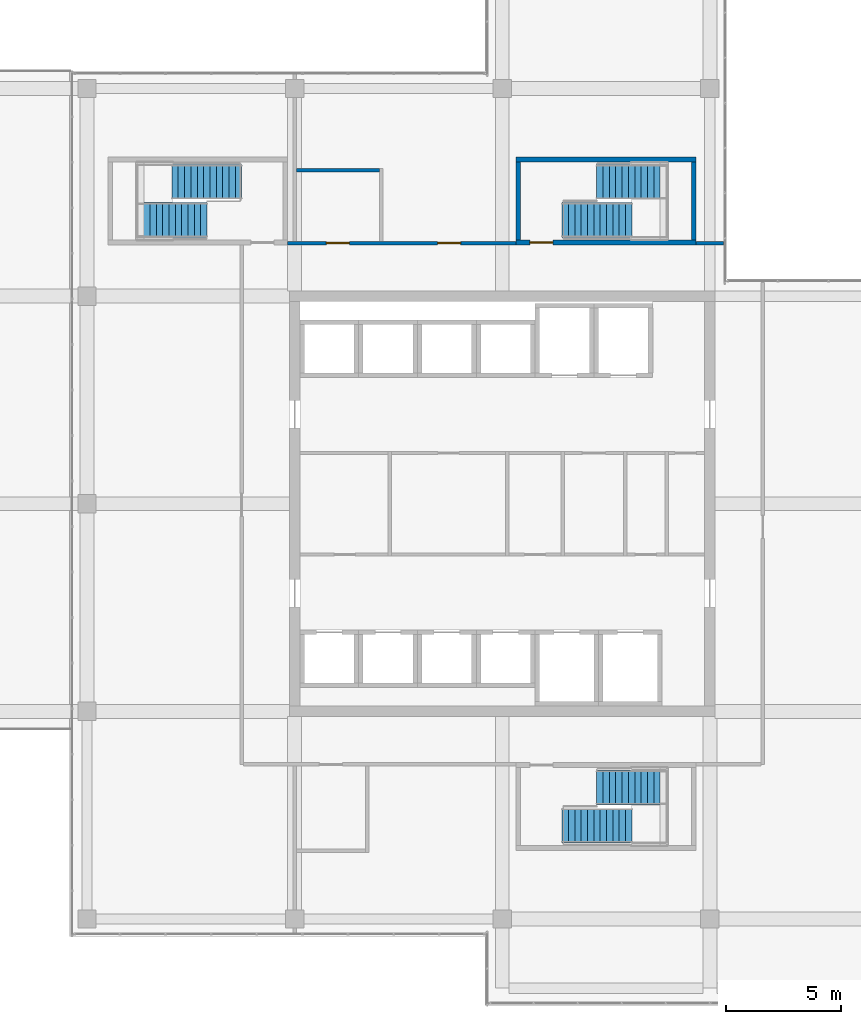
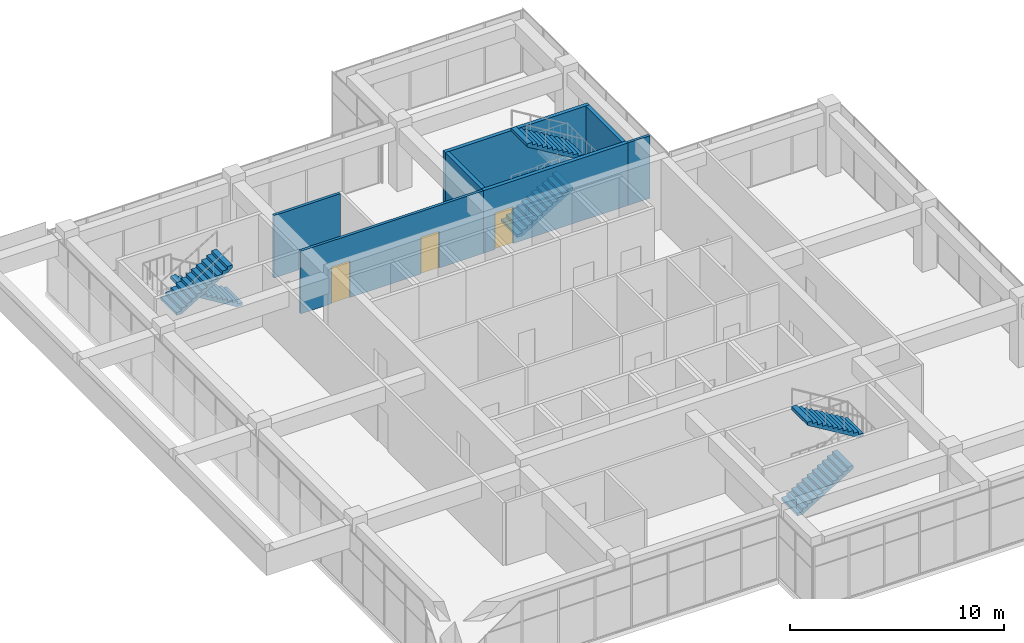
# One storey, part 49 of 52: 7 walls, 6 stair flights, 3 doors, 3 openings, 3 elements without a shape of their own.
"""IFC4 building model written with IfcOpenShell, lengths in metres."""

from ifc_helpers import new_model, si_unit, direction, frame, frame_2d, origin, place, context, subcontext, project, spatial, polyline, rectangle, outline, extrude, material, layer, layer_set, type_object, element, fill, aggregate, save


model = new_model("IFC4")

# Units and contexts
model_context = context("Model", 3, precision=1e-05, world=origin(), true_north=direction((0.0, 1.0)))
body_context = subcontext(model_context, "Body", "Model", "MODEL_VIEW")
ifc_project = project(units=[si_unit("LENGTHUNIT", "METRE"), si_unit("AREAUNIT", "SQUARE_METRE"), si_unit("VOLUMEUNIT", "CUBIC_METRE"), si_unit("PLANEANGLEUNIT", "RADIAN"), si_unit("MASSUNIT", "GRAM", prefix="KILO")], contexts=[model_context])

# Site, building, storey
site_placement = place(None, origin())
site = spatial("IfcSite", under=ifc_project, at=site_placement, CompositionType="ELEMENT")
building_placement = place(site_placement, origin())
building = spatial("IfcBuilding", under=site, at=building_placement, Name="Tuart Plaza Theatre", CompositionType="ELEMENT")
storey_placement = place(building_placement, frame((0.0, 0.0, 25.5)))
storey = spatial("IfcBuildingStorey", under=building, at=storey_placement, Name="L06", CompositionType="ELEMENT", Elevation=25.5)

# Wall, openings, doors
ifc_material_1 = material(Name="Masonry block", Category="masonry")
ifc_layer_1 = layer(ifc_material_1, 0.14990234375)
ifc_layer_set_1 = layer_set([ifc_layer_1], Name="PARTITION BLK150 MASONRYB FRL 120/-/-")
wall_type_1 = type_object("IfcWallType", Name="PARTITION BLK150 MASONRYB FRL 120/-/-", PredefinedType="PARTITIONING", material=ifc_layer_set_1)
wall_1_placement = place(storey_placement, frame((122.699951171875, 85.300048828125, 0.0), z_axis=(0.0, 0.0, 1.0), x_axis=(1.0, 0.0, 0.0)))
wall_1 = element("IfcWall", 1, at=wall_1_placement, inside=storey, type_object=wall_type_1, Name="P628", PredefinedType="PARTITIONING", context=body_context, shape_type="SweptSolid", body=[
    extrude(rectangle(XDim=9.900146484375, YDim=0.14990234375, at=frame_2d((4.9501953125, 0.0))), origin(), (0.0, 0.0, 1.0), 3.580078125),
])
opening_1_placement = place(wall_1_placement, frame((1.675048828125, 0.0, 0.0)))
opening_1 = element("IfcOpeningElement", 2, at=opening_1_placement, cuts=wall_1, Name="Opening L06-025", PredefinedType="OPENING", context=body_context, shape_type="SweptSolid", body=[
    extrude(rectangle(XDim=1.0, YDim=2.10009765625, at=frame_2d((0.5, 1.050048828125))), frame((0.0, 0.0849609375, 0.0), z_axis=(0.0, -1.0, 0.0), x_axis=(1.0, 0.0, 0.0)), (0.0, 0.0, 1.0), 0.169921875),
])
opening_2_placement = place(wall_1_placement, frame((6.49755859375, 0.0, 0.0)))
opening_2 = element("IfcOpeningElement", 3, at=opening_2_placement, cuts=wall_1, Name="Opening L06-028", PredefinedType="OPENING", context=body_context, shape_type="SweptSolid", body=[
    extrude(rectangle(XDim=1.0, YDim=2.10009765625, at=frame_2d((0.5, 1.050048828125))), frame((0.0, 0.0849609375, 0.0), z_axis=(0.0, -1.0, 0.0), x_axis=(1.0, 0.0, 0.0)), (0.0, 0.0, 1.0), 0.169921875),
])
ifc_material_2 = material(Name="Timber", Category="wood")
door_type_1 = type_object("IfcDoorType", Name="DOOR 1000x2100 timber single swing FRL -/60/30", OperationType="SINGLE_SWING_LEFT", PredefinedType="DOOR", material=ifc_material_2)
door_1_placement = place(opening_1_placement, origin())
door_1 = element("IfcDoor", 4, at=door_1_placement, inside=storey, type_object=door_type_1, Name="L06-025", OperationType="SINGLE_SWING_LEFT", OverallHeight=2.10009765625, OverallWidth=1.0, PredefinedType="DOOR", context=body_context, shape_type="SweptSolid", body=[
    extrude(rectangle(XDim=1.0, YDim=2.10009765625, at=frame_2d((0.5, 1.050048828125))), frame((0.0, 0.02490234375, 0.0), z_axis=(0.0, -1.0, 0.0), x_axis=(1.0, 0.0, 0.0)), (0.0, 0.0, 1.0), 0.050048828125),
])
fill(opening_1, door_1)
door_2_placement = place(opening_2_placement, origin())
door_2 = element("IfcDoor", 5, at=door_2_placement, inside=storey, type_object=door_type_1, Name="L06-028", OperationType="SINGLE_SWING_LEFT", OverallHeight=2.10009765625, OverallWidth=1.0, PredefinedType="DOOR", context=body_context, shape_type="SweptSolid", body=[
    extrude(rectangle(XDim=1.0, YDim=2.10009765625, at=frame_2d((0.5, 1.050048828125))), frame((0.0, 0.02490234375, 0.0), z_axis=(0.0, -1.0, 0.0), x_axis=(1.0, 0.0, 0.0)), (0.0, 0.0, 1.0), 0.050048828125),
])
fill(opening_2, door_2)

# Walls
wall_2_placement = place(storey_placement, frame((140.39990234375, 85.300048828125, 0.0), z_axis=(0.0, 0.0, 1.0), x_axis=(1.0, 0.0, 0.0)))
element("IfcWall", 6, at=wall_2_placement, inside=storey, type_object=wall_type_1, Name="P629", PredefinedType="PARTITIONING", context=body_context, shape_type="SweptSolid", body=[
    extrude(rectangle(XDim=1.2001953125, YDim=0.14990234375, at=frame_2d((0.60009765625, 0.0))), origin(), (0.0, 0.0, 1.0), 3.580078125),
])
wall_3_placement = place(storey_placement, frame((123.074951171875, 88.449951171875, 0.0), z_axis=(0.0, 0.0, 1.0), x_axis=(1.0, 0.0, 0.0)))
element("IfcWall", 7, at=wall_3_placement, inside=storey, type_object=wall_type_1, Name="P634", PredefinedType="PARTITIONING", context=body_context, shape_type="SweptSolid", body=[
    extrude(rectangle(XDim=3.60009765625, YDim=0.14990234375, at=frame_2d((1.800048828125, 0.0))), origin(), (0.0, 0.0, 1.0), 3.580078125),
])

# Wall, opening, door
ifc_material_3 = material(Name="Concrete N40 (40 MPa)", Category="concrete")
ifc_layer_2 = layer(ifc_material_3, 0.199951171875)
ifc_layer_set_2 = layer_set([ifc_layer_2], Name="SHEAR WALL RC200 FRL 120/120/120")
wall_type_2 = type_object("IfcWallType", Name="SHEAR WALL RC200 FRL 120/120/120", PredefinedType="SHEAR", material=ifc_layer_set_2)
wall_4_placement = place(storey_placement, frame((132.60009765625, 85.324951171875, 0.0), z_axis=(0.0, 0.0, 1.0), x_axis=(1.0, 0.0, 0.0)))
wall_4 = element("IfcWall", 8, at=wall_4_placement, inside=storey, type_object=wall_type_2, Name="P428", PredefinedType="SHEAR", context=body_context, shape_type="SweptSolid", body=[
    extrude(rectangle(XDim=7.7998046875, YDim=0.199951171875, at=frame_2d((3.89990234375, 0.0))), origin(), (0.0, 0.0, 1.0), 3.580078125),
])
opening_3_placement = place(wall_4_placement, frame((0.60009765625, 0.0, 0.0)))
opening_3 = element("IfcOpeningElement", 9, at=opening_3_placement, cuts=wall_4, Name="Opening L06-012", PredefinedType="OPENING", context=body_context, shape_type="SweptSolid", body=[
    extrude(rectangle(XDim=1.0, YDim=2.10009765625, at=frame_2d((0.5, 1.050048828125))), frame((0.0, 0.10986328125, 0.0), z_axis=(0.0, -1.0, 0.0), x_axis=(1.0, 0.0, 0.0)), (0.0, 0.0, 1.0), 0.219970703125),
])
ifc_material_4 = material(Name="Steel Grade 300", Category="steel")
door_type_2 = type_object("IfcDoorType", Name="DOOR 1000x2100 steel single swing FRL -/120/30", OperationType="SINGLE_SWING_LEFT", PredefinedType="DOOR", material=ifc_material_4)
door_3_placement = place(opening_3_placement, origin())
door_3 = element("IfcDoor", 10, at=door_3_placement, inside=storey, type_object=door_type_2, Name="L06-012", OperationType="SINGLE_SWING_RIGHT", OverallHeight=2.10009765625, OverallWidth=1.0, PredefinedType="DOOR", context=body_context, shape_type="SweptSolid", body=[
    extrude(rectangle(XDim=1.0, YDim=2.10009765625, at=frame_2d((0.5, 1.050048828125))), frame((0.0, 0.02490234375, 0.0), z_axis=(0.0, -1.0, 0.0), x_axis=(1.0, 0.0, 0.0)), (0.0, 0.0, 1.0), 0.050048828125),
])
fill(opening_3, door_3)

# Walls
wall_5_placement = place(storey_placement, frame((140.300048828125, 85.425048828125, 0.0), z_axis=(0.0, 0.0, 1.0), x_axis=(0.0, 1.0, 0.0)))
element("IfcWall", 11, at=wall_5_placement, inside=storey, type_object=wall_type_2, Name="P429", PredefinedType="SHEAR", context=body_context, shape_type="SweptSolid", body=[
    extrude(rectangle(XDim=3.39990234375, YDim=0.199951171875, at=frame_2d((1.699951171875, 0.0))), origin(), (0.0, 0.0, 1.0), 3.580078125),
])
wall_6_placement = place(storey_placement, frame((140.39990234375, 88.925048828125, 0.0), z_axis=(0.0, 0.0, 1.0), x_axis=(-1.0, 0.0, 0.0)))
element("IfcWall", 12, at=wall_6_placement, inside=storey, type_object=wall_type_2, Name="P430", PredefinedType="SHEAR", context=body_context, shape_type="SweptSolid", body=[
    extrude(rectangle(XDim=7.7998046875, YDim=0.199951171875, at=frame_2d((3.89990234375, 0.0))), origin(), (0.0, 0.0, 1.0), 3.580078125),
])
wall_7_placement = place(storey_placement, frame((132.699951171875, 88.824951171875, 0.0), z_axis=(0.0, 0.0, 1.0), x_axis=(0.0, -1.0, 0.0)))
element("IfcWall", 13, at=wall_7_placement, inside=storey, type_object=wall_type_2, Name="P431", PredefinedType="SHEAR", context=body_context, shape_type="SweptSolid", body=[
    extrude(rectangle(XDim=3.39990234375, YDim=0.199951171875, at=frame_2d((1.699951171875, 0.0))), origin(), (0.0, 0.0, 1.0), 3.580078125),
])

# Stair, stair flights
ifc_material_5 = material(Name="Concrete N40 (40 MPa)", Category="concrete")
stair_type = type_object("IfcStairType", Name="STAIR half turn 1500", PredefinedType="HALF_TURN_STAIR", material=ifc_material_5)
stair_1_placement = place(storey_placement, origin())
stair_1 = element("IfcStair", 14, at=stair_1_placement, inside=storey, type_object=stair_type, Name="SC-3", PredefinedType="HALF_TURN_STAIR")
ifc_material_6 = material(Name="Concrete N40 (40 MPa)", Category="concrete")
stair_flight_type = type_object("IfcStairFlightType", Name="STAIR FLIGHT 166.7 275 1500", PredefinedType="STRAIGHT", material=ifc_material_6)
stair_flight_1_placement = place(storey_placement, frame((134.594970703125, 60.050048828125, 0.0), z_axis=(0.0, 0.0, 1.0), x_axis=(1.0, 0.0, 0.0)))
stair_flight_1 = element("IfcStairFlight", 15, at=stair_flight_1_placement, type_object=stair_flight_type, Name="SC-3 flight 1", NumberOfRisers=12, NumberOfTreads=11, PredefinedType="STRAIGHT", RiserHeight=0.166666667, TreadLength=0.275, context=body_context, shape_type="SweptSolid", body=[
    extrude(outline(polyline([(0.0, 0.0), (0.0, 0.166748046875), (0.27490234375, 0.166748046875), (0.27490234375, 0.333251953125), (0.550048828125, 0.333251953125), (0.550048828125, 0.5), (0.824951171875, 0.5), (0.824951171875, 0.666748046875), (1.10009765625, 0.666748046875), (1.10009765625, 0.833251953125), (1.375, 0.833251953125), (1.375, 1.0), (1.64990234375, 1.0), (1.64990234375, 1.166748046875), (1.925048828125, 1.166748046875), (1.925048828125, 1.333251953125), (2.199951171875, 1.333251953125), (2.199951171875, 1.5), (2.47509765625, 1.5), (2.47509765625, 1.666748046875), (2.75, 1.666748046875), (2.75, 1.833251953125), (3.02490234375, 1.833251953125), (3.02490234375, 2.0), (3.02490234375, 1.657958984375), (0.289306640625, 0.0), (0.0, 0.0)])), frame((0.0, 0.75, 0.0), z_axis=(0.0, -1.0, 0.0), x_axis=(1.0, 0.0, 0.0)), (0.0, 0.0, 1.0), 1.5),
])
stair_flight_2_placement = place(storey_placement, frame((139.1201171875, 61.699951171875, 2.0), z_axis=(0.0, 0.0, 1.0), x_axis=(-1.0, 0.0, 0.0)))
stair_flight_2 = element("IfcStairFlight", 16, at=stair_flight_2_placement, type_object=stair_flight_type, Name="SC-3 flight 2", NumberOfRisers=12, NumberOfTreads=11, PredefinedType="STRAIGHT", RiserHeight=0.166666667, TreadLength=0.275, context=body_context, shape_type="SweptSolid", body=[
    extrude(outline(polyline([(0.0, 0.0), (0.0, 0.166748046875), (0.27490234375, 0.166748046875), (0.27490234375, 0.333251953125), (0.550048828125, 0.333251953125), (0.550048828125, 0.5), (0.824951171875, 0.5), (0.824951171875, 0.666748046875), (1.10009765625, 0.666748046875), (1.10009765625, 0.833251953125), (1.375, 0.833251953125), (1.375, 1.0), (1.64990234375, 1.0), (1.64990234375, 1.166748046875), (1.925048828125, 1.166748046875), (1.925048828125, 1.333251953125), (2.199951171875, 1.333251953125), (2.199951171875, 1.5), (2.47509765625, 1.5), (2.47509765625, 1.666748046875), (2.75, 1.666748046875), (2.75, 1.833251953125), (3.02490234375, 1.833251953125), (3.02490234375, 2.0), (3.02490234375, 1.657958984375), (0.289306640625, 0.0), (0.0, 0.0)])), frame((0.0, 0.75, 0.0), z_axis=(0.0, -1.0, 0.0), x_axis=(1.0, 0.0, 0.0)), (0.0, 0.0, 1.0), 1.5),
])
aggregate(stair_1, [stair_flight_1, stair_flight_2])

stair_2_placement = place(storey_placement, origin())
stair_2 = element("IfcStair", 17, at=stair_2_placement, inside=storey, type_object=stair_type, Name="SC-9", PredefinedType="HALF_TURN_STAIR")
stair_flight_3_placement = place(storey_placement, frame((134.594970703125, 86.300048828125, 0.0), z_axis=(0.0, 0.0, 1.0), x_axis=(1.0, 0.0, 0.0)))
stair_flight_3 = element("IfcStairFlight", 18, at=stair_flight_3_placement, type_object=stair_flight_type, Name="SC-9 flight 1", NumberOfRisers=12, NumberOfTreads=11, PredefinedType="STRAIGHT", RiserHeight=0.166666667, TreadLength=0.275, context=body_context, shape_type="SweptSolid", body=[
    extrude(outline(polyline([(0.0, 0.0), (0.0, 0.166748046875), (0.27490234375, 0.166748046875), (0.27490234375, 0.333251953125), (0.550048828125, 0.333251953125), (0.550048828125, 0.5), (0.824951171875, 0.5), (0.824951171875, 0.666748046875), (1.10009765625, 0.666748046875), (1.10009765625, 0.833251953125), (1.375, 0.833251953125), (1.375, 1.0), (1.64990234375, 1.0), (1.64990234375, 1.166748046875), (1.925048828125, 1.166748046875), (1.925048828125, 1.333251953125), (2.199951171875, 1.333251953125), (2.199951171875, 1.5), (2.47509765625, 1.5), (2.47509765625, 1.666748046875), (2.75, 1.666748046875), (2.75, 1.833251953125), (3.02490234375, 1.833251953125), (3.02490234375, 2.0), (3.02490234375, 1.657958984375), (0.289306640625, 0.0), (0.0, 0.0)])), frame((0.0, 0.75, 0.0), z_axis=(0.0, -1.0, 0.0), x_axis=(1.0, 0.0, 0.0)), (0.0, 0.0, 1.0), 1.5),
])
stair_flight_4_placement = place(storey_placement, frame((139.1201171875, 87.949951171875, 2.0), z_axis=(0.0, 0.0, 1.0), x_axis=(-1.0, 0.0, 0.0)))
stair_flight_4 = element("IfcStairFlight", 19, at=stair_flight_4_placement, type_object=stair_flight_type, Name="SC-9 flight 2", NumberOfRisers=12, NumberOfTreads=11, PredefinedType="STRAIGHT", RiserHeight=0.166666667, TreadLength=0.275, context=body_context, shape_type="SweptSolid", body=[
    extrude(outline(polyline([(0.0, 0.0), (0.0, 0.166748046875), (0.27490234375, 0.166748046875), (0.27490234375, 0.333251953125), (0.550048828125, 0.333251953125), (0.550048828125, 0.5), (0.824951171875, 0.5), (0.824951171875, 0.666748046875), (1.10009765625, 0.666748046875), (1.10009765625, 0.833251953125), (1.375, 0.833251953125), (1.375, 1.0), (1.64990234375, 1.0), (1.64990234375, 1.166748046875), (1.925048828125, 1.166748046875), (1.925048828125, 1.333251953125), (2.199951171875, 1.333251953125), (2.199951171875, 1.5), (2.47509765625, 1.5), (2.47509765625, 1.666748046875), (2.75, 1.666748046875), (2.75, 1.833251953125), (3.02490234375, 1.833251953125), (3.02490234375, 2.0), (3.02490234375, 1.657958984375), (0.289306640625, 0.0), (0.0, 0.0)])), frame((0.0, 0.75, 0.0), z_axis=(0.0, -1.0, 0.0), x_axis=(1.0, 0.0, 0.0)), (0.0, 0.0, 1.0), 1.5),
])
aggregate(stair_2, [stair_flight_3, stair_flight_4])

stair_3_placement = place(storey_placement, origin())
stair_3 = element("IfcStair", 20, at=stair_3_placement, inside=storey, type_object=stair_type, Name="SC-15", PredefinedType="HALF_TURN_STAIR")
stair_flight_5_placement = place(storey_placement, frame((120.705078125, 87.949951171875, 0.0), z_axis=(0.0, 0.0, 1.0), x_axis=(-1.0, 0.0, 0.0)))
stair_flight_5 = element("IfcStairFlight", 21, at=stair_flight_5_placement, type_object=stair_flight_type, Name="SC-15 flight 1", NumberOfRisers=12, NumberOfTreads=11, PredefinedType="STRAIGHT", RiserHeight=0.166666667, TreadLength=0.275, context=body_context, shape_type="SweptSolid", body=[
    extrude(outline(polyline([(0.0, 0.0), (0.0, 0.166748046875), (0.27490234375, 0.166748046875), (0.27490234375, 0.333251953125), (0.550048828125, 0.333251953125), (0.550048828125, 0.5), (0.824951171875, 0.5), (0.824951171875, 0.666748046875), (1.10009765625, 0.666748046875), (1.10009765625, 0.833251953125), (1.375, 0.833251953125), (1.375, 1.0), (1.64990234375, 1.0), (1.64990234375, 1.166748046875), (1.925048828125, 1.166748046875), (1.925048828125, 1.333251953125), (2.199951171875, 1.333251953125), (2.199951171875, 1.5), (2.47509765625, 1.5), (2.47509765625, 1.666748046875), (2.75, 1.666748046875), (2.75, 1.833251953125), (3.02490234375, 1.833251953125), (3.02490234375, 2.0), (3.02490234375, 1.657958984375), (0.289306640625, 0.0), (0.0, 0.0)])), frame((0.0, 0.75, 0.0), z_axis=(0.0, -1.0, 0.0), x_axis=(1.0, 0.0, 0.0)), (0.0, 0.0, 1.0), 1.5),
])
stair_flight_6_placement = place(storey_placement, frame((116.179931640625, 86.300048828125, 2.0), z_axis=(0.0, 0.0, 1.0), x_axis=(1.0, 0.0, 0.0)))
stair_flight_6 = element("IfcStairFlight", 22, at=stair_flight_6_placement, type_object=stair_flight_type, Name="SC-15 flight 2", NumberOfRisers=12, NumberOfTreads=11, PredefinedType="STRAIGHT", RiserHeight=0.166666667, TreadLength=0.275, context=body_context, shape_type="SweptSolid", body=[
    extrude(outline(polyline([(0.0, 0.0), (0.0, 0.166748046875), (0.27490234375, 0.166748046875), (0.27490234375, 0.333251953125), (0.550048828125, 0.333251953125), (0.550048828125, 0.5), (0.824951171875, 0.5), (0.824951171875, 0.666748046875), (1.10009765625, 0.666748046875), (1.10009765625, 0.833251953125), (1.375, 0.833251953125), (1.375, 1.0), (1.64990234375, 1.0), (1.64990234375, 1.166748046875), (1.925048828125, 1.166748046875), (1.925048828125, 1.333251953125), (2.199951171875, 1.333251953125), (2.199951171875, 1.5), (2.47509765625, 1.5), (2.47509765625, 1.666748046875), (2.75, 1.666748046875), (2.75, 1.833251953125), (3.02490234375, 1.833251953125), (3.02490234375, 2.0), (3.02490234375, 1.657958984375), (0.289306640625, 0.0), (0.0, 0.0)])), frame((0.0, 0.75, 0.0), z_axis=(0.0, -1.0, 0.0), x_axis=(1.0, 0.0, 0.0)), (0.0, 0.0, 1.0), 1.5),
])
aggregate(stair_3, [stair_flight_5, stair_flight_6])

save(model, "model.ifc")
